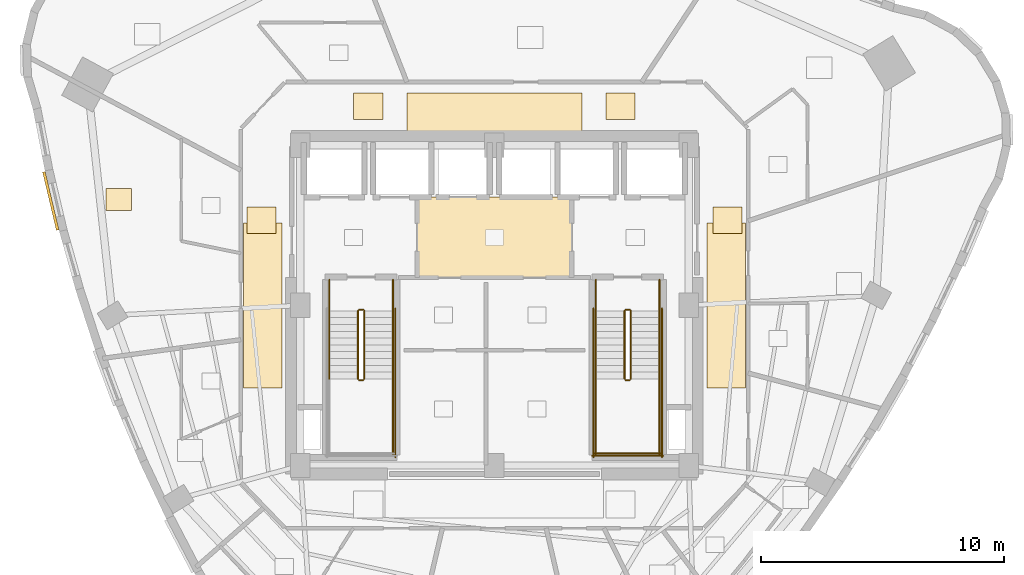
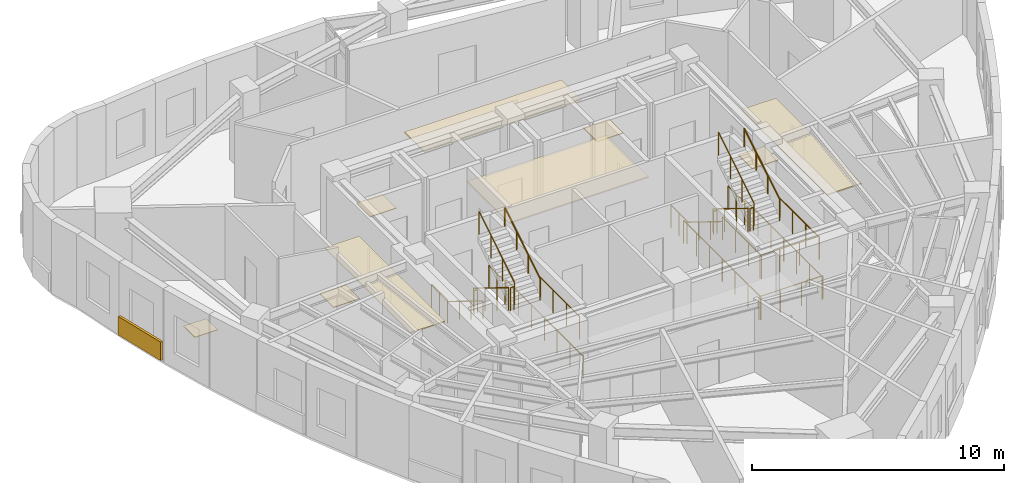
# One storey, part 10 of 11: 24 railings, 10 coverings.
"""IFC4 building model written with IfcOpenShell, lengths in metres."""

from ifc_helpers import new_model, si_unit, direction, frame, origin, origin_2d, place, context, subcontext, project, spatial, rectangle, circle, extrude, material, layer, layer_set, type_object, element, save


model = new_model("IFC4")

# Units and contexts
model_context = context("Model", 3, precision=1e-05, world=origin(), true_north=direction((0.0, 1.0)))
body_context = subcontext(model_context, "Body", "Model", "MODEL_VIEW")
ifc_project = project(units=[si_unit("LENGTHUNIT", "METRE"), si_unit("AREAUNIT", "SQUARE_METRE"), si_unit("VOLUMEUNIT", "CUBIC_METRE"), si_unit("PLANEANGLEUNIT", "RADIAN"), si_unit("MASSUNIT", "GRAM", prefix="KILO")], contexts=[model_context])

# Site, building, storey
site_placement = place(None, origin())
site = spatial("IfcSite", under=ifc_project, at=site_placement, CompositionType="ELEMENT")
building_placement = place(site_placement, origin())
building = spatial("IfcBuilding", under=site, at=building_placement, Name="Ndelora Gate Hotel", CompositionType="ELEMENT")
storey_placement = place(building_placement, frame((0.0, 0.0, 186.550048828125)))
storey = spatial("IfcBuildingStorey", under=building, at=storey_placement, Name="L46", CompositionType="ELEMENT", Elevation=186.550048828125)

# Coverings
ifc_material_1 = material(Name="Perforated Acoustic Gypsum Board", Category="gypsum")
ifc_layer_1 = layer(ifc_material_1, 0.054931640625)
ifc_layer_set_1 = layer_set([ifc_layer_1], Name="Perforated Acoustic Gypsum Board")
covering_type_1 = type_object("IfcCoveringType", Name="COV-CEIL-AC60", PredefinedType="CEILING", material=ifc_layer_set_1)
covering_1_placement = place(storey_placement, frame((0.0, 2.800048828125, 2.72265625), z_axis=(0.0, 0.0, 1.0), x_axis=(1.0, 0.0, 0.0)))
element("IfcCovering", 1, at=covering_1_placement, inside=storey, type_object=covering_type_1, Name="L46 Lift Lobby Acoustic Ceiling", PredefinedType="CEILING", context=body_context, shape_type="SweptSolid", body=[
    extrude(rectangle(XDim=6.39990234375, YDim=3.340087890625, at=origin_2d()), origin(), (0.0, 0.0, 1.0), 0.054931640625),
])
covering_2_placement = place(storey_placement, frame((0.0, 7.9599609375, 2.65234375), z_axis=(0.0, 0.0, 1.0), x_axis=(1.0, 0.0, 0.0)))
element("IfcCovering", 2, at=covering_2_placement, inside=storey, type_object=covering_type_1, Name="L46 Guest Corridor Acoustic Ceiling N", PredefinedType="CEILING", context=body_context, shape_type="SweptSolid", body=[
    extrude(rectangle(XDim=7.199951171875, YDim=1.580078125, at=origin_2d()), origin(), (0.0, 0.0, 1.0), 0.054931640625),
])
for number, where, z_axis, x_axis, name in (
    (3, (-9.550048828125, 0.0, 2.65234375), (0.0, 0.0, 1.0), (1.0, 0.0, 0.0), "L46 Guest Corridor Acoustic Ceiling W"),
    (4, (9.550048828125, 0.0, 2.65234375), (0.0, 0.0, 1.0), (1.0, 0.0, 0.0), "L46 Guest Corridor Acoustic Ceiling E"),
):
    element("IfcCovering", number, at=place(storey_placement, frame(where, z_axis=z_axis, x_axis=x_axis)), inside=storey, type_object=covering_type_1, Name=name, PredefinedType="CEILING", context=body_context, shape_type="SweptSolid", body=[
        extrude(rectangle(XDim=1.580078125, YDim=6.800048828125, at=origin_2d()), origin(), (0.0, 0.0, 1.0), 0.054931640625),
    ])
ifc_material_2 = material(Name="Terracotta Fired Clay Brick Slip Cladding", Category="masonry")
ifc_layer_2 = layer(ifc_material_2, 0.110107421875)
ifc_layer_set_2 = layer_set([ifc_layer_2], Name="Terracotta Fired Clay Brick Slip Cladding")
covering_type_2 = type_object("IfcCoveringType", Name="COV-CLAD-BRK", PredefinedType="CLADDING", material=ifc_layer_set_2)
covering_3_placement = place(storey_placement, frame((-18.275390625, 4.298828125, 0.10009765625), z_axis=(0.0, 0.0, 1.0), x_axis=(-0.230219585439, 0.973138706701, 0.0)))
element("IfcCovering", 5, at=covering_3_placement, inside=storey, type_object=covering_type_2, Name="L46 Rounded-Corner Brick Cladding Band 10", PredefinedType="CLADDING", context=body_context, shape_type="SweptSolid", body=[
    extrude(rectangle(XDim=2.4599609375, YDim=0.110107421875, at=origin_2d()), origin(), (0.0, 0.0, 1.0), 0.89990234375),
])
ifc_material_3 = material(Name="Engineered Highland Oak Parquet", Category="wood")
ifc_layer_3 = layer(ifc_material_3, 0.030029296875)
ifc_layer_set_3 = layer_set([ifc_layer_3], Name="Engineered Highland Oak Parquet")
covering_type_3 = type_object("IfcCoveringType", Name="COV-FLR-PARQ", PredefinedType="FLOORING", material=ifc_layer_set_3)
covering_4_placement = place(storey_placement, frame((-15.482421875, 4.3583984375, 0.0), z_axis=(0.0, 0.0, 1.0), x_axis=(1.0, 0.0, 0.0)))
element("IfcCovering", 6, at=covering_4_placement, inside=storey, type_object=covering_type_3, Name="L46 Altitude Twin Suite 4905 Oak Parquet Flooring", PredefinedType="FLOORING", context=body_context, shape_type="SweptSolid", body=[
    extrude(rectangle(XDim=1.050048828125, YDim=0.89990234375, at=origin_2d()), origin(), (0.0, 0.0, 1.0), 0.030029296875),
])
ifc_material_4 = material(Name="Polished Highland Stone Terrazzo", Category="masonry")
ifc_layer_4 = layer(ifc_material_4, 0.034912109375)
ifc_layer_set_4 = layer_set([ifc_layer_4], Name="Polished Highland Stone Terrazzo")
covering_type_4 = type_object("IfcCoveringType", Name="COV-FLR-TERZ", PredefinedType="FLOORING", material=ifc_layer_set_4)
for number, where, z_axis, x_axis, name in (
    (7, (-5.199951171875, 8.199951171875, 0.0), (0.0, 0.0, 1.0), (1.0, 0.0, 0.0), "L46 Corridor Threshold Terrazzo Inlay NW"),
    (8, (5.199951171875, 8.199951171875, 0.0), (0.0, 0.0, 1.0), (1.0, 0.0, 0.0), "L46 Corridor Threshold Terrazzo Inlay NE"),
    (9, (-9.60009765625, 3.5, 0.0), (0.0, 0.0, 1.0), (1.0, 0.0, 0.0), "L46 Corridor Threshold Terrazzo Inlay W"),
    (10, (9.60009765625, 3.5, 0.0), (0.0, 0.0, 1.0), (1.0, 0.0, 0.0), "L46 Corridor Threshold Terrazzo Inlay E"),
):
    element("IfcCovering", number, at=place(storey_placement, frame(where, z_axis=z_axis, x_axis=x_axis)), inside=storey, type_object=covering_type_4, Name=name, PredefinedType="FLOORING", context=body_context, shape_type="SweptSolid", body=[
        extrude(rectangle(XDim=1.199951171875, YDim=1.10009765625, at=origin_2d()), origin(), (0.0, 0.0, 1.0), 0.034912109375),
    ])

# Railings
ifc_material_5 = material(Name="Painted Galvanized Steel Balustrade", Category="steel")
ifc_layer_5 = layer(ifc_material_5, 0.06005859375)
ifc_layer_set_5 = layer_set([ifc_layer_5], Name="Painted Galvanized Steel Balustrade")
railing_type_1 = type_object("IfcRailingType", Name="RL-STAIR-GD", PredefinedType="GUARDRAIL", material=ifc_layer_set_5)
railing_1_placement = place(storey_placement, frame((-5.6201171875, -0.22998046875, 0.172607421875)))
element("IfcRailing", 11, at=railing_1_placement, inside=storey, type_object=railing_type_1, Name="L46 ST4 stair guard 1", PredefinedType="GUARDRAIL", context=body_context, shape_type="SweptSolid", body=[
    extrude(circle(Radius=0.02392578125, at=origin_2d()), frame((0.0, 0.0, 1.10595703125), z_axis=(0.0, -0.851089632645, 0.525020415988), x_axis=(1.0, 0.0, 0.0)), (0.0, 0.0, 1.0), 3.2900390625),
    extrude(circle(Radius=0.02099609375, at=origin_2d()), origin(), (0.0, 0.0, 1.0), 1.081787109375),
    extrude(circle(Radius=0.02099609375, at=origin_2d()), frame((0.0, -0.933349609375, 0.57568359375)), (0.0, 0.0, 1.0), 1.081787109375),
    extrude(circle(Radius=0.02099609375, at=origin_2d()), frame((0.0, -1.86669921875, 1.151611328125)), (0.0, 0.0, 1.0), 1.081787109375),
    extrude(circle(Radius=0.02099609375, at=origin_2d()), frame((0.0, -2.800048828125, 1.727294921875)), (0.0, 0.0, 1.0), 1.081787109375),
])
railing_2_placement = place(storey_placement, frame((-5.570068359375, -3.080078125, 1.89990234375)))
element("IfcRailing", 12, at=railing_2_placement, inside=storey, type_object=railing_type_1, Name="L46 ST4 stair guard 2", PredefinedType="GUARDRAIL", context=body_context, shape_type="SweptSolid", body=[
    extrude(circle(Radius=0.02392578125, at=origin_2d()), frame((0.0, 0.0, 1.10595703125), z_axis=(1.0, 0.0, 0.0), x_axis=(0.0, 1.0, 0.0)), (0.0, 0.0, 1.0), 0.16015625),
    extrude(circle(Radius=0.02099609375, at=origin_2d()), origin(), (0.0, 0.0, 1.0), 1.081787109375),
    extrude(circle(Radius=0.02099609375, at=origin_2d()), frame((0.16015625, 0.0, 0.0)), (0.0, 0.0, 1.0), 1.081787109375),
])
railing_3_placement = place(storey_placement, frame((-4.179931640625, -3.030029296875, 1.89990234375)))
element("IfcRailing", 13, at=railing_3_placement, inside=storey, type_object=railing_type_1, Name="L46 ST4 stair guard 4", PredefinedType="GUARDRAIL", context=body_context, shape_type="SweptSolid", body=[
    extrude(circle(Radius=0.02392578125, at=origin_2d()), frame((0.0, 0.0, 1.10595703125), z_axis=(0.0, -1.0, 0.0), x_axis=(1.0, 0.0, 0.0)), (0.0, 0.0, 1.0), 3.119873046875),
    extrude(circle(Radius=0.02099609375, at=origin_2d()), origin(), (0.0, 0.0, 1.0), 1.081787109375),
    extrude(circle(Radius=0.02099609375, at=origin_2d()), frame((0.0, -1.0400390625, 0.0)), (0.0, 0.0, 1.0), 1.081787109375),
    extrude(circle(Radius=0.02099609375, at=origin_2d()), frame((0.0, -2.079833984375, 0.0)), (0.0, 0.0, 1.0), 1.081787109375),
    extrude(circle(Radius=0.02099609375, at=origin_2d()), frame((0.0, -3.119873046875, 0.0)), (0.0, 0.0, 1.0), 1.081787109375),
])
railing_4_placement = place(storey_placement, frame((-5.360107421875, -3.030029296875, 2.07275390625)))
element("IfcRailing", 14, at=railing_4_placement, inside=storey, type_object=railing_type_1, Name="L46 ST4 stair guard 6", PredefinedType="GUARDRAIL", context=body_context, shape_type="SweptSolid", body=[
    extrude(circle(Radius=0.02392578125, at=origin_2d()), frame((0.0, 0.0, 1.10595703125), z_axis=(0.0, 0.851089632645, 0.525020415988), x_axis=(-1.0, 0.0, 0.0)), (0.0, 0.0, 1.0), 3.2900390625),
    extrude(circle(Radius=0.02099609375, at=origin_2d()), origin(), (0.0, 0.0, 1.0), 1.081787109375),
    extrude(circle(Radius=0.02099609375, at=origin_2d()), frame((0.0, 0.933349609375, 0.57568359375)), (0.0, 0.0, 1.0), 1.081787109375),
    extrude(circle(Radius=0.02099609375, at=origin_2d()), frame((0.0, 1.86669921875, 1.151611328125)), (0.0, 0.0, 1.0), 1.081787109375),
    extrude(circle(Radius=0.02099609375, at=origin_2d()), frame((0.0, 2.800048828125, 1.727294921875)), (0.0, 0.0, 1.0), 1.081787109375),
])
railing_5_placement = place(storey_placement, frame((-5.570068359375, -0.179931640625, 0.0)))
element("IfcRailing", 15, at=railing_5_placement, inside=storey, type_object=railing_type_1, Name="L46 ST4 stair guard 7", PredefinedType="GUARDRAIL", context=body_context, shape_type="SweptSolid", body=[
    extrude(circle(Radius=0.02392578125, at=origin_2d()), frame((0.0, 0.0, 1.10595703125), z_axis=(1.0, 0.0, 0.0), x_axis=(0.0, 1.0, 0.0)), (0.0, 0.0, 1.0), 0.16015625),
    extrude(circle(Radius=0.02099609375, at=origin_2d()), origin(), (0.0, 0.0, 1.0), 1.081787109375),
    extrude(circle(Radius=0.02099609375, at=origin_2d()), frame((0.16015625, 0.0, 0.0)), (0.0, 0.0, 1.0), 1.081787109375),
])
for number, where, name in (
    (16, (-6.800048828125, 1.050048828125, 0.0), "L46 ST4 stair guard 8"),
    (17, (-4.179931640625, 1.050048828125, 0.0), "L46 ST4 stair guard 9"),
):
    element("IfcRailing", number, at=place(storey_placement, frame(where)), inside=storey, type_object=railing_type_1, Name=name, PredefinedType="GUARDRAIL", context=body_context, shape_type="SweptSolid", body=[
        extrude(circle(Radius=0.02392578125, at=origin_2d()), frame((0.0, 0.0, 1.10595703125), z_axis=(0.0, -1.0, 0.0), x_axis=(1.0, 0.0, 0.0)), (0.0, 0.0, 1.0), 1.280029296875),
        extrude(circle(Radius=0.02099609375, at=origin_2d()), origin(), (0.0, 0.0, 1.0), 1.081787109375),
        extrude(circle(Radius=0.02099609375, at=origin_2d()), frame((0.0, -0.64013671875, 0.0)), (0.0, 0.0, 1.0), 1.081787109375),
        extrude(circle(Radius=0.02099609375, at=origin_2d()), frame((0.0, -1.280029296875, 0.0)), (0.0, 0.0, 1.0), 1.081787109375),
    ])
railing_6_placement = place(storey_placement, frame((-4.080078125, -0.1298828125, 0.0)))
element("IfcRailing", 18, at=railing_6_placement, inside=storey, type_object=railing_type_1, Name="L46 ST4 stair guard 11", PredefinedType="GUARDRAIL", context=body_context, shape_type="SweptSolid", body=[
    extrude(circle(Radius=0.02392578125, at=origin_2d()), frame((0.0, 0.0, 1.10595703125), z_axis=(0.0, -1.0, 0.0), x_axis=(1.0, 0.0, 0.0)), (0.0, 0.0, 1.0), 6.1201171875),
    extrude(circle(Radius=0.02099609375, at=origin_2d()), origin(), (0.0, 0.0, 1.0), 1.081787109375),
    extrude(circle(Radius=0.02099609375, at=origin_2d()), frame((0.0, -1.02001953125, 0.0)), (0.0, 0.0, 1.0), 1.081787109375),
    extrude(circle(Radius=0.02099609375, at=origin_2d()), frame((0.0, -2.0400390625, 0.0)), (0.0, 0.0, 1.0), 1.081787109375),
    extrude(circle(Radius=0.02099609375, at=origin_2d()), frame((0.0, -3.06005859375, 0.0)), (0.0, 0.0, 1.0), 1.081787109375),
    extrude(circle(Radius=0.02099609375, at=origin_2d()), frame((0.0, -4.080078125, 0.0)), (0.0, 0.0, 1.0), 1.081787109375),
    extrude(circle(Radius=0.02099609375, at=origin_2d()), frame((0.0, -5.10009765625, 0.0)), (0.0, 0.0, 1.0), 1.081787109375),
    extrude(circle(Radius=0.02099609375, at=origin_2d()), frame((0.0, -6.1201171875, 0.0)), (0.0, 0.0, 1.0), 1.081787109375),
])
railing_7_placement = place(storey_placement, frame((5.360107421875, -0.22998046875, 0.172607421875)))
element("IfcRailing", 19, at=railing_7_placement, inside=storey, type_object=railing_type_1, Name="L46 ST5 stair guard 1", PredefinedType="GUARDRAIL", context=body_context, shape_type="SweptSolid", body=[
    extrude(circle(Radius=0.02392578125, at=origin_2d()), frame((0.0, 0.0, 1.10595703125), z_axis=(0.0, -0.851089632645, 0.525020415988), x_axis=(1.0, 0.0, 0.0)), (0.0, 0.0, 1.0), 3.2900390625),
    extrude(circle(Radius=0.02099609375, at=origin_2d()), origin(), (0.0, 0.0, 1.0), 1.081787109375),
    extrude(circle(Radius=0.02099609375, at=origin_2d()), frame((0.0, -0.933349609375, 0.57568359375)), (0.0, 0.0, 1.0), 1.081787109375),
    extrude(circle(Radius=0.02099609375, at=origin_2d()), frame((0.0, -1.86669921875, 1.151611328125)), (0.0, 0.0, 1.0), 1.081787109375),
    extrude(circle(Radius=0.02099609375, at=origin_2d()), frame((0.0, -2.800048828125, 1.727294921875)), (0.0, 0.0, 1.0), 1.081787109375),
])
railing_8_placement = place(storey_placement, frame((5.409912109375, -3.080078125, 1.89990234375)))
element("IfcRailing", 20, at=railing_8_placement, inside=storey, type_object=railing_type_1, Name="L46 ST5 stair guard 2", PredefinedType="GUARDRAIL", context=body_context, shape_type="SweptSolid", body=[
    extrude(circle(Radius=0.02392578125, at=origin_2d()), frame((0.0, 0.0, 1.10595703125), z_axis=(1.0, 0.0, 0.0), x_axis=(0.0, 1.0, 0.0)), (0.0, 0.0, 1.0), 0.16015625),
    extrude(circle(Radius=0.02099609375, at=origin_2d()), origin(), (0.0, 0.0, 1.0), 1.081787109375),
    extrude(circle(Radius=0.02099609375, at=origin_2d()), frame((0.16015625, 0.0, 0.0)), (0.0, 0.0, 1.0), 1.081787109375),
])
for number, where, name in (
    (21, (4.179931640625, -3.030029296875, 1.89990234375), "L46 ST5 stair guard 3"),
    (22, (6.800048828125, -3.030029296875, 1.89990234375), "L46 ST5 stair guard 4"),
):
    element("IfcRailing", number, at=place(storey_placement, frame(where)), inside=storey, type_object=railing_type_1, Name=name, PredefinedType="GUARDRAIL", context=body_context, shape_type="SweptSolid", body=[
        extrude(circle(Radius=0.02392578125, at=origin_2d()), frame((0.0, 0.0, 1.10595703125), z_axis=(0.0, -1.0, 0.0), x_axis=(1.0, 0.0, 0.0)), (0.0, 0.0, 1.0), 3.119873046875),
        extrude(circle(Radius=0.02099609375, at=origin_2d()), origin(), (0.0, 0.0, 1.0), 1.081787109375),
        extrude(circle(Radius=0.02099609375, at=origin_2d()), frame((0.0, -1.0400390625, 0.0)), (0.0, 0.0, 1.0), 1.081787109375),
        extrude(circle(Radius=0.02099609375, at=origin_2d()), frame((0.0, -2.079833984375, 0.0)), (0.0, 0.0, 1.0), 1.081787109375),
        extrude(circle(Radius=0.02099609375, at=origin_2d()), frame((0.0, -3.119873046875, 0.0)), (0.0, 0.0, 1.0), 1.081787109375),
    ])
railing_9_placement = place(storey_placement, frame((4.1298828125, -6.10009765625, 1.89990234375)))
element("IfcRailing", 23, at=railing_9_placement, inside=storey, type_object=railing_type_1, Name="L46 ST5 stair guard 5", PredefinedType="GUARDRAIL", context=body_context, shape_type="SweptSolid", body=[
    extrude(circle(Radius=0.02392578125, at=origin_2d()), frame((0.0, 0.0, 1.10595703125), z_axis=(1.0, 0.0, 0.0), x_axis=(0.0, 1.0, 0.0)), (0.0, 0.0, 1.0), 2.72021484375),
    extrude(circle(Radius=0.02099609375, at=origin_2d()), origin(), (0.0, 0.0, 1.0), 1.081787109375),
    extrude(circle(Radius=0.02099609375, at=origin_2d()), frame((0.90673828125, 0.0, 0.0)), (0.0, 0.0, 1.0), 1.081787109375),
    extrude(circle(Radius=0.02099609375, at=origin_2d()), frame((1.8134765625, 0.0, 0.0)), (0.0, 0.0, 1.0), 1.081787109375),
    extrude(circle(Radius=0.02099609375, at=origin_2d()), frame((2.72021484375, 0.0, 0.0)), (0.0, 0.0, 1.0), 1.081787109375),
])
railing_10_placement = place(storey_placement, frame((5.6201171875, -3.030029296875, 2.07275390625)))
element("IfcRailing", 24, at=railing_10_placement, inside=storey, type_object=railing_type_1, Name="L46 ST5 stair guard 6", PredefinedType="GUARDRAIL", context=body_context, shape_type="SweptSolid", body=[
    extrude(circle(Radius=0.02392578125, at=origin_2d()), frame((0.0, 0.0, 1.10595703125), z_axis=(0.0, 0.851089632645, 0.525020415988), x_axis=(-1.0, 0.0, 0.0)), (0.0, 0.0, 1.0), 3.2900390625),
    extrude(circle(Radius=0.02099609375, at=origin_2d()), origin(), (0.0, 0.0, 1.0), 1.081787109375),
    extrude(circle(Radius=0.02099609375, at=origin_2d()), frame((0.0, 0.933349609375, 0.57568359375)), (0.0, 0.0, 1.0), 1.081787109375),
    extrude(circle(Radius=0.02099609375, at=origin_2d()), frame((0.0, 1.86669921875, 1.151611328125)), (0.0, 0.0, 1.0), 1.081787109375),
    extrude(circle(Radius=0.02099609375, at=origin_2d()), frame((0.0, 2.800048828125, 1.727294921875)), (0.0, 0.0, 1.0), 1.081787109375),
])
railing_11_placement = place(storey_placement, frame((5.409912109375, -0.179931640625, 0.0)))
element("IfcRailing", 25, at=railing_11_placement, inside=storey, type_object=railing_type_1, Name="L46 ST5 stair guard 7", PredefinedType="GUARDRAIL", context=body_context, shape_type="SweptSolid", body=[
    extrude(circle(Radius=0.02392578125, at=origin_2d()), frame((0.0, 0.0, 1.10595703125), z_axis=(1.0, 0.0, 0.0), x_axis=(0.0, 1.0, 0.0)), (0.0, 0.0, 1.0), 0.16015625),
    extrude(circle(Radius=0.02099609375, at=origin_2d()), origin(), (0.0, 0.0, 1.0), 1.081787109375),
    extrude(circle(Radius=0.02099609375, at=origin_2d()), frame((0.16015625, 0.0, 0.0)), (0.0, 0.0, 1.0), 1.081787109375),
])
for number, where, name in (
    (26, (4.179931640625, 1.050048828125, 0.0), "L46 ST5 stair guard 8"),
    (27, (6.800048828125, 1.050048828125, 0.0), "L46 ST5 stair guard 9"),
):
    element("IfcRailing", number, at=place(storey_placement, frame(where)), inside=storey, type_object=railing_type_1, Name=name, PredefinedType="GUARDRAIL", context=body_context, shape_type="SweptSolid", body=[
        extrude(circle(Radius=0.02392578125, at=origin_2d()), frame((0.0, 0.0, 1.10595703125), z_axis=(0.0, -1.0, 0.0), x_axis=(1.0, 0.0, 0.0)), (0.0, 0.0, 1.0), 1.280029296875),
        extrude(circle(Radius=0.02099609375, at=origin_2d()), origin(), (0.0, 0.0, 1.0), 1.081787109375),
        extrude(circle(Radius=0.02099609375, at=origin_2d()), frame((0.0, -0.64013671875, 0.0)), (0.0, 0.0, 1.0), 1.081787109375),
        extrude(circle(Radius=0.02099609375, at=origin_2d()), frame((0.0, -1.280029296875, 0.0)), (0.0, 0.0, 1.0), 1.081787109375),
    ])
for number, where, name in (
    (28, (4.080078125, -0.1298828125, 0.0), "L46 ST5 stair guard 10"),
    (29, (6.89990234375, -0.1298828125, 0.0), "L46 ST5 stair guard 11"),
):
    element("IfcRailing", number, at=place(storey_placement, frame(where)), inside=storey, type_object=railing_type_1, Name=name, PredefinedType="GUARDRAIL", context=body_context, shape_type="SweptSolid", body=[
        extrude(circle(Radius=0.02392578125, at=origin_2d()), frame((0.0, 0.0, 1.10595703125), z_axis=(0.0, -1.0, 0.0), x_axis=(1.0, 0.0, 0.0)), (0.0, 0.0, 1.0), 6.1201171875),
        extrude(circle(Radius=0.02099609375, at=origin_2d()), origin(), (0.0, 0.0, 1.0), 1.081787109375),
        extrude(circle(Radius=0.02099609375, at=origin_2d()), frame((0.0, -1.02001953125, 0.0)), (0.0, 0.0, 1.0), 1.081787109375),
        extrude(circle(Radius=0.02099609375, at=origin_2d()), frame((0.0, -2.0400390625, 0.0)), (0.0, 0.0, 1.0), 1.081787109375),
        extrude(circle(Radius=0.02099609375, at=origin_2d()), frame((0.0, -3.06005859375, 0.0)), (0.0, 0.0, 1.0), 1.081787109375),
        extrude(circle(Radius=0.02099609375, at=origin_2d()), frame((0.0, -4.080078125, 0.0)), (0.0, 0.0, 1.0), 1.081787109375),
        extrude(circle(Radius=0.02099609375, at=origin_2d()), frame((0.0, -5.10009765625, 0.0)), (0.0, 0.0, 1.0), 1.081787109375),
        extrude(circle(Radius=0.02099609375, at=origin_2d()), frame((0.0, -6.1201171875, 0.0)), (0.0, 0.0, 1.0), 1.081787109375),
    ])
railing_12_placement = place(storey_placement, frame((4.030029296875, -6.199951171875, 0.0)))
element("IfcRailing", 30, at=railing_12_placement, inside=storey, type_object=railing_type_1, Name="L46 ST5 stair guard 12", PredefinedType="GUARDRAIL", context=body_context, shape_type="SweptSolid", body=[
    extrude(circle(Radius=0.02392578125, at=origin_2d()), frame((0.0, 0.0, 1.10595703125), z_axis=(1.0, 0.0, 0.0), x_axis=(0.0, 1.0, 0.0)), (0.0, 0.0, 1.0), 2.919921875),
    extrude(circle(Radius=0.02099609375, at=origin_2d()), origin(), (0.0, 0.0, 1.0), 1.081787109375),
    extrude(circle(Radius=0.02099609375, at=origin_2d()), frame((0.973388671875, 0.0, 0.0)), (0.0, 0.0, 1.0), 1.081787109375),
    extrude(circle(Radius=0.02099609375, at=origin_2d()), frame((1.946533203125, 0.0, 0.0)), (0.0, 0.0, 1.0), 1.081787109375),
    extrude(circle(Radius=0.02099609375, at=origin_2d()), frame((2.919921875, 0.0, 0.0)), (0.0, 0.0, 1.0), 1.081787109375),
])
ifc_material_6 = material(Name="Brushed Stainless Steel 316", Category="steel")
ifc_layer_6 = layer(ifc_material_6, 0.050048828125)
ifc_layer_set_6 = layer_set([ifc_layer_6], Name="Brushed Stainless Steel 316")
railing_type_2 = type_object("IfcRailingType", Name="RL-STAIR-HR", PredefinedType="HANDRAIL", material=ifc_layer_set_6)
railing_13_placement = place(storey_placement, frame((-6.800048828125, -0.22998046875, 0.172607421875)))
element("IfcRailing", 31, at=railing_13_placement, inside=storey, type_object=railing_type_2, Name="L46 ST4 stair handrail 1", PredefinedType="HANDRAIL", context=body_context, shape_type="SweptSolid", body=[
    extrude(circle(Radius=0.02392578125, at=origin_2d()), frame((0.0, 0.0, 0.8759765625), z_axis=(0.0, -0.851089632645, 0.525020415988), x_axis=(1.0, 0.0, 0.0)), (0.0, 0.0, 1.0), 3.2900390625),
    extrude(circle(Radius=0.02099609375, at=origin_2d()), origin(), (0.0, 0.0, 1.0), 0.851806640625),
    extrude(circle(Radius=0.02099609375, at=origin_2d()), frame((0.0, -0.933349609375, 0.57568359375)), (0.0, 0.0, 1.0), 0.851806640625),
    extrude(circle(Radius=0.02099609375, at=origin_2d()), frame((0.0, -1.86669921875, 1.151611328125)), (0.0, 0.0, 1.0), 0.851806640625),
    extrude(circle(Radius=0.02099609375, at=origin_2d()), frame((0.0, -2.800048828125, 1.727294921875)), (0.0, 0.0, 1.0), 0.851806640625),
])
railing_14_placement = place(storey_placement, frame((-4.179931640625, -3.030029296875, 2.07275390625)))
element("IfcRailing", 32, at=railing_14_placement, inside=storey, type_object=railing_type_2, Name="L46 ST4 stair handrail 2", PredefinedType="HANDRAIL", context=body_context, shape_type="SweptSolid", body=[
    extrude(circle(Radius=0.02392578125, at=origin_2d()), frame((0.0, 0.0, 0.8759765625), z_axis=(0.0, 0.851089632645, 0.525020415988), x_axis=(-1.0, 0.0, 0.0)), (0.0, 0.0, 1.0), 3.2900390625),
    extrude(circle(Radius=0.02099609375, at=origin_2d()), origin(), (0.0, 0.0, 1.0), 0.851806640625),
    extrude(circle(Radius=0.02099609375, at=origin_2d()), frame((0.0, 0.933349609375, 0.57568359375)), (0.0, 0.0, 1.0), 0.851806640625),
    extrude(circle(Radius=0.02099609375, at=origin_2d()), frame((0.0, 1.86669921875, 1.151611328125)), (0.0, 0.0, 1.0), 0.851806640625),
    extrude(circle(Radius=0.02099609375, at=origin_2d()), frame((0.0, 2.800048828125, 1.727294921875)), (0.0, 0.0, 1.0), 0.851806640625),
])
railing_15_placement = place(storey_placement, frame((4.179931640625, -0.22998046875, 0.172607421875)))
element("IfcRailing", 33, at=railing_15_placement, inside=storey, type_object=railing_type_2, Name="L46 ST5 stair handrail 1", PredefinedType="HANDRAIL", context=body_context, shape_type="SweptSolid", body=[
    extrude(circle(Radius=0.02392578125, at=origin_2d()), frame((0.0, 0.0, 0.8759765625), z_axis=(0.0, -0.851089632645, 0.525020415988), x_axis=(1.0, 0.0, 0.0)), (0.0, 0.0, 1.0), 3.2900390625),
    extrude(circle(Radius=0.02099609375, at=origin_2d()), origin(), (0.0, 0.0, 1.0), 0.851806640625),
    extrude(circle(Radius=0.02099609375, at=origin_2d()), frame((0.0, -0.933349609375, 0.57568359375)), (0.0, 0.0, 1.0), 0.851806640625),
    extrude(circle(Radius=0.02099609375, at=origin_2d()), frame((0.0, -1.86669921875, 1.151611328125)), (0.0, 0.0, 1.0), 0.851806640625),
    extrude(circle(Radius=0.02099609375, at=origin_2d()), frame((0.0, -2.800048828125, 1.727294921875)), (0.0, 0.0, 1.0), 0.851806640625),
])
railing_16_placement = place(storey_placement, frame((6.800048828125, -3.030029296875, 2.07275390625)))
element("IfcRailing", 34, at=railing_16_placement, inside=storey, type_object=railing_type_2, Name="L46 ST5 stair handrail 2", PredefinedType="HANDRAIL", context=body_context, shape_type="SweptSolid", body=[
    extrude(circle(Radius=0.02392578125, at=origin_2d()), frame((0.0, 0.0, 0.8759765625), z_axis=(0.0, 0.851089632645, 0.525020415988), x_axis=(-1.0, 0.0, 0.0)), (0.0, 0.0, 1.0), 3.2900390625),
    extrude(circle(Radius=0.02099609375, at=origin_2d()), origin(), (0.0, 0.0, 1.0), 0.851806640625),
    extrude(circle(Radius=0.02099609375, at=origin_2d()), frame((0.0, 0.933349609375, 0.57568359375)), (0.0, 0.0, 1.0), 0.851806640625),
    extrude(circle(Radius=0.02099609375, at=origin_2d()), frame((0.0, 1.86669921875, 1.151611328125)), (0.0, 0.0, 1.0), 0.851806640625),
    extrude(circle(Radius=0.02099609375, at=origin_2d()), frame((0.0, 2.800048828125, 1.727294921875)), (0.0, 0.0, 1.0), 0.851806640625),
])

save(model, "model.ifc")
